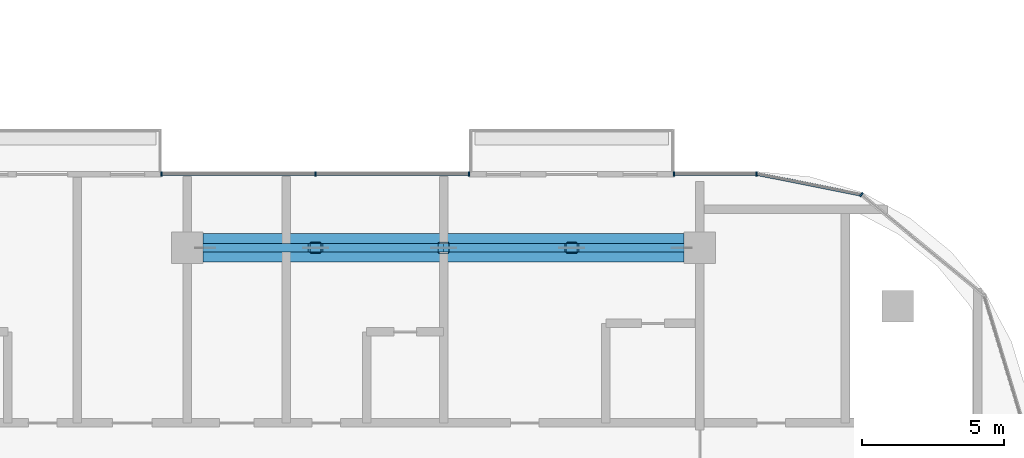
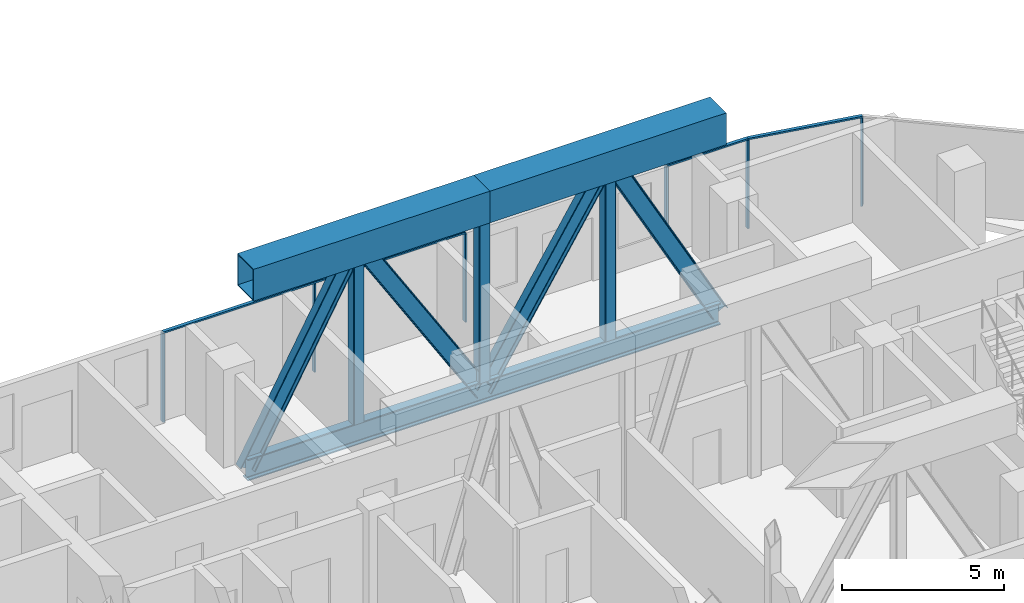
# One storey, part 4 of 25: 19 members, 3 elements without a shape of their own.
"""IFC4 building model written with IfcOpenShell, lengths in metres."""

from ifc_helpers import new_model, si_unit, direction, frame, origin, origin_2d, place, context, subcontext, project, spatial, rectangle, hollow_rectangle, i_section, extrude, material, material_profile, profile_set, type_object, element, aggregate, save


model = new_model("IFC4")

# Units and contexts
model_context = context("Model", 3, precision=1e-05, world=origin(), true_north=direction((0.0, 1.0)))
body_context = subcontext(model_context, "Body", "Model", "MODEL_VIEW")
ifc_project = project(units=[si_unit("LENGTHUNIT", "METRE"), si_unit("AREAUNIT", "SQUARE_METRE"), si_unit("VOLUMEUNIT", "CUBIC_METRE"), si_unit("PLANEANGLEUNIT", "RADIAN"), si_unit("MASSUNIT", "GRAM", prefix="KILO")], contexts=[model_context])

# Site, building, storey
site_placement = place(None, origin())
site = spatial("IfcSite", under=ifc_project, at=site_placement, CompositionType="ELEMENT")
building_placement = place(site_placement, origin())
building = spatial("IfcBuilding", under=site, at=building_placement, Name="Ogive Portal Towers", CompositionType="ELEMENT")
storey_placement = place(building_placement, frame((0.0, 0.0, 182.89990234375)))
storey = spatial("IfcBuildingStorey", under=building, at=storey_placement, Name="L45", CompositionType="ELEMENT", Elevation=182.89990234375)

# Members
ifc_material_1 = material(Name="Steel S355", Category="steel")
ifc_material_profile_1 = material_profile(ifc_material_1, i_section(OverallWidth=0.300048828125, OverallDepth=0.60009765625, WebThickness=0.015380859375, FlangeThickness=0.030029296875, FilletRadius=0.027099609375, at=origin_2d()), Name="HEB 600")
ifc_profile_set_1 = profile_set([ifc_material_profile_1], Name="Steel S355")
member_type_1 = type_object("IfcMemberType", Name="BRACE HEB 600", PredefinedType="BRACE", material=ifc_profile_set_1)
member_1_placement = place(storey_placement, frame((68.050048828125, 39.5, -0.706787109375), z_axis=(0.480630732962, 0.0, 0.87692308587), x_axis=(0.0, 1.0, 0.0)))
element("IfcMember", 1, at=member_1_placement, inside=storey, type_object=member_type_1, Name="Lintel truss diagonal", PredefinedType="BRACE", context=body_context, shape_type="SweptSolid", body=[
    extrude(i_section(OverallWidth=0.300048828125, OverallDepth=0.60009765625, WebThickness=0.015380859375, FlangeThickness=0.030029296875, FilletRadius=0.027099609375, at=origin_2d()), origin(), (0.0, 0.0, 1.0), 8.21826171875),
])
for number, where, z_axis, x_axis, name in (
    (2, (72.0, 39.5, 6.5), (0.52963986891, 0.0, -0.848222617749), (0.0, 1.0, 0.0), "Lintel truss diagonal"),
    (3, (76.5, 39.5, -0.706787109375), (0.52963986891, 0.0, 0.848222617749), (0.0, 1.0, 0.0), "Lintel truss diagonal"),
):
    element("IfcMember", number, at=place(storey_placement, frame(where, z_axis=z_axis, x_axis=x_axis)), inside=storey, type_object=member_type_1, Name=name, PredefinedType="BRACE", context=body_context, shape_type="SweptSolid", body=[
        extrude(i_section(OverallWidth=0.300048828125, OverallDepth=0.60009765625, WebThickness=0.015380859375, FlangeThickness=0.030029296875, FilletRadius=0.027099609375, at=origin_2d()), origin(), (0.0, 0.0, 1.0), 8.496337890625),
    ])
member_2_placement = place(storey_placement, frame((81.0, 39.5, 6.5), z_axis=(0.480630732962, 0.0, -0.87692308587), x_axis=(0.0, 1.0, 0.0)))
element("IfcMember", 4, at=member_2_placement, inside=storey, type_object=member_type_1, Name="Lintel truss diagonal", PredefinedType="BRACE", context=body_context, shape_type="SweptSolid", body=[
    extrude(i_section(OverallWidth=0.300048828125, OverallDepth=0.60009765625, WebThickness=0.015380859375, FlangeThickness=0.030029296875, FilletRadius=0.027099609375, at=origin_2d()), origin(), (0.0, 0.0, 1.0), 8.21826171875),
])
ifc_material_profile_2 = material_profile(ifc_material_1, hollow_rectangle(XDim=1.0, YDim=1.199951171875, WallThickness=0.0400390625, at=origin_2d()), Name="BOX 1200x1000x40")
ifc_profile_set_2 = profile_set([ifc_material_profile_2], Name="Steel S355")
member_type_2 = type_object("IfcMemberType", Name="CHORD BOX 1200x1000x40", PredefinedType="CHORD", material=ifc_profile_set_2)
for number, where, z_axis, x_axis, name in (
    (5, (68.050048828125, 39.5, 6.5), (1.0, 0.0, 0.0), (0.0, 1.0, 0.0), "Lintel truss top chord"),
    (6, (76.5, 39.5, 6.5), (1.0, 0.0, 0.0), (0.0, 1.0, 0.0), "Lintel truss top chord"),
):
    element("IfcMember", number, at=place(storey_placement, frame(where, z_axis=z_axis, x_axis=x_axis)), inside=storey, type_object=member_type_2, Name=name, PredefinedType="CHORD", context=body_context, shape_type="SweptSolid", body=[
        extrude(hollow_rectangle(XDim=1.0, YDim=1.199951171875, WallThickness=0.0400390625, at=origin_2d()), origin(), (0.0, 0.0, 1.0), 8.449951171875),
    ])
ifc_material_profile_3 = material_profile(ifc_material_1, i_section(OverallWidth=0.302978515625, OverallDepth=0.81396484375, WebThickness=0.02099609375, FlangeThickness=0.0400390625, FilletRadius=0.030029296875, at=origin_2d()), Name="HEM 800")
ifc_profile_set_3 = profile_set([ifc_material_profile_3], Name="Steel S355")
member_type_3 = type_object("IfcMemberType", Name="CHORD HEM 800", PredefinedType="CHORD", material=ifc_profile_set_3)
member_3_placement = place(storey_placement, frame((68.050048828125, 39.5, -0.706787109375), z_axis=(1.0, 0.0, 0.0), x_axis=(0.0, 1.0, 0.0)))
element("IfcMember", 7, at=member_3_placement, inside=storey, type_object=member_type_3, Name="Lintel truss bottom chord", PredefinedType="CHORD", context=body_context, shape_type="SweptSolid", body=[
    extrude(i_section(OverallWidth=0.302978515625, OverallDepth=0.81396484375, WebThickness=0.02099609375, FlangeThickness=0.0400390625, FilletRadius=0.030029296875, at=origin_2d()), origin(), (0.0, 0.0, 1.0), 16.89990234375),
])

# Curtain wall, members
ifc_material_2 = material(Name="Glass, clear low-iron insulated glazing", Category="glass")
curtain_wall_type = type_object("IfcCurtainWallType", Name="CW FRONT RIBBON 4500", PredefinedType="NOTDEFINED", material=ifc_material_2)
curtain_wall_1_placement = place(storey_placement, origin())
curtain_wall_1 = element("IfcCurtainWall", 8, at=curtain_wall_1_placement, inside=storey, type_object=curtain_wall_type, Name="A:L45:f16:cw0", PredefinedType="NOTDEFINED")
ifc_material_3 = material(Name="Aluminium 6063 anodised", Category="aluminium")
ifc_material_profile_4 = material_profile(ifc_material_3, rectangle(XDim=0.159912109375, YDim=0.06005859375, at=origin_2d()), Name="AL 60x160")
ifc_profile_set_4 = profile_set([ifc_material_profile_4], Name="Aluminium 6063 anodised")
member_type_4 = type_object("IfcMemberType", Name="CW MULLION 60x160", PredefinedType="MULLION", material=ifc_profile_set_4)
member_4_placement = place(storey_placement, frame((87.4921875, 42.10009765625, 0.0), z_axis=(0.0, 0.0, 1.0), x_axis=(0.0, -1.0, 0.0)))
member_4 = element("IfcMember", 9, at=member_4_placement, type_object=member_type_4, Name="mullion", PredefinedType="MULLION", context=body_context, shape_type="SweptSolid", body=[
    extrude(rectangle(XDim=0.159912109375, YDim=0.06005859375, at=origin_2d()), origin(), (0.0, 0.0, 1.0), 3.340087890625),
])
member_5_placement = place(storey_placement, frame((84.591796875, 42.10009765625, 0.0), z_axis=(0.0, 0.0, 1.0), x_axis=(0.0, -1.0, 0.0)))
member_5 = element("IfcMember", 10, at=member_5_placement, type_object=member_type_4, Name="mullion", PredefinedType="MULLION", context=body_context, shape_type="SweptSolid", body=[
    extrude(rectangle(XDim=0.159912109375, YDim=0.06005859375, at=origin_2d()), origin(), (0.0, 0.0, 1.0), 3.340087890625),
])

curtain_wall_2_placement = place(storey_placement, origin())
curtain_wall_2 = element("IfcCurtainWall", 11, at=curtain_wall_2_placement, inside=storey, type_object=curtain_wall_type, Name="A:L45:f16:cw1", PredefinedType="NOTDEFINED")
member_6_placement = place(storey_placement, frame((77.391357421875, 42.10009765625, 0.0), z_axis=(0.0, 0.0, 1.0), x_axis=(0.0, -1.0, 0.0)))
member_6 = element("IfcMember", 12, at=member_6_placement, type_object=member_type_4, Name="mullion", PredefinedType="MULLION", context=body_context, shape_type="SweptSolid", body=[
    extrude(rectangle(XDim=0.159912109375, YDim=0.06005859375, at=origin_2d()), origin(), (0.0, 0.0, 1.0), 3.340087890625),
])
member_7_placement = place(storey_placement, frame((72.0, 42.10009765625, 0.0), z_axis=(0.0, 0.0, 1.0), x_axis=(0.0, -1.0, 0.0)))
member_7 = element("IfcMember", 13, at=member_7_placement, type_object=member_type_4, Name="mullion", PredefinedType="MULLION", context=body_context, shape_type="SweptSolid", body=[
    extrude(rectangle(XDim=0.159912109375, YDim=0.06005859375, at=origin_2d()), origin(), (0.0, 0.0, 1.0), 3.340087890625),
])
member_8_placement = place(storey_placement, frame((66.59033203125, 42.10009765625, 0.0), z_axis=(0.0, 0.0, 1.0), x_axis=(0.0, -1.0, 0.0)))
member_8 = element("IfcMember", 14, at=member_8_placement, type_object=member_type_4, Name="mullion", PredefinedType="MULLION", context=body_context, shape_type="SweptSolid", body=[
    extrude(rectangle(XDim=0.159912109375, YDim=0.06005859375, at=origin_2d()), origin(), (0.0, 0.0, 1.0), 3.340087890625),
])

# Curtain wall, member
curtain_wall_3_placement = place(storey_placement, origin())
curtain_wall_3 = element("IfcCurtainWall", 15, at=curtain_wall_3_placement, inside=storey, type_object=curtain_wall_type, Name="A:L45:f13:cwa", PredefinedType="NOTDEFINED")
member_9_placement = place(storey_placement, frame((91.169189453125, 41.36865234375, 0.0), z_axis=(0.0, 0.0, 1.0), x_axis=(-0.634393284164, -0.773010453363, 0.0)))
member_9 = element("IfcMember", 16, at=member_9_placement, type_object=member_type_4, Name="mullion", PredefinedType="MULLION", context=body_context, shape_type="SweptSolid", body=[
    extrude(rectangle(XDim=0.159912109375, YDim=0.06005859375, at=origin_2d()), origin(), (0.0, 0.0, 1.0), 3.340087890625),
])

# Member
ifc_material_profile_5 = material_profile(ifc_material_3, rectangle(XDim=0.1201171875, YDim=0.06005859375, at=origin_2d()), Name="AL 120x60")
ifc_profile_set_5 = profile_set([ifc_material_profile_5], Name="Aluminium 6063 anodised")
member_type_5 = type_object("IfcMemberType", Name="CW TRANSOM 60x120", PredefinedType="USERDEFINED", material=ifc_profile_set_5)
member_10_placement = place(storey_placement, frame((87.4921875, 42.10009765625, 3.3701171875), z_axis=(-1.0, 0.0, 0.0), x_axis=(0.0, -1.0, 0.0)))
member_10 = element("IfcMember", 17, at=member_10_placement, type_object=member_type_5, Name="transom", ObjectType="TRANSOM", PredefinedType="USERDEFINED", context=body_context, shape_type="SweptSolid", body=[
    extrude(rectangle(XDim=0.1201171875, YDim=0.06005859375, at=origin_2d()), origin(), (0.0, 0.0, 1.0), 2.900390625),
])

aggregate(curtain_wall_1, [member_10, member_4, member_5])

member_11_placement = place(storey_placement, frame((77.391357421875, 42.10009765625, 3.3701171875), z_axis=(-1.0, 0.0, 0.0), x_axis=(0.0, -1.0, 0.0)))
member_11 = element("IfcMember", 18, at=member_11_placement, type_object=member_type_5, Name="transom", ObjectType="TRANSOM", PredefinedType="USERDEFINED", context=body_context, shape_type="SweptSolid", body=[
    extrude(rectangle(XDim=0.1201171875, YDim=0.06005859375, at=origin_2d()), origin(), (0.0, 0.0, 1.0), 10.801025390625),
])

aggregate(curtain_wall_2, [member_11, member_6, member_7, member_8])

member_12_placement = place(storey_placement, frame((91.169189453125, 41.36865234375, 3.3701171875), z_axis=(-0.980783027079, 0.195101649899, 0.0), x_axis=(-0.195101649899, -0.980783027079, 0.0)))
member_12 = element("IfcMember", 19, at=member_12_placement, type_object=member_type_5, Name="transom", ObjectType="TRANSOM", PredefinedType="USERDEFINED", context=body_context, shape_type="SweptSolid", body=[
    extrude(rectangle(XDim=0.1201171875, YDim=0.06005859375, at=origin_2d()), origin(), (0.0, 0.0, 1.0), 3.7490234375),
])

aggregate(curtain_wall_3, [member_12, member_9])

# Members
ifc_material_profile_6 = material_profile(ifc_material_1, hollow_rectangle(XDim=0.39990234375, YDim=0.39990234375, WallThickness=0.02001953125, InnerFilletRadius=0.030029296875, OuterFilletRadius=0.050048828125, at=origin_2d()), Name="SHS 400x400x20")
ifc_profile_set_6 = profile_set([ifc_material_profile_6], Name="Steel S355")
member_type_6 = type_object("IfcMemberType", Name="POST SHS 400x400x20", PredefinedType="POST", material=ifc_profile_set_6)
for number, where, z_axis, x_axis, name in (
    (20, (72.0, 39.5, -0.2998046875), (0.0, 0.0, 1.0), (1.0, 0.0, 0.0), "Lintel truss post"),
    (21, (76.5, 39.5, -0.2998046875), (0.0, 0.0, 1.0), (1.0, 0.0, 0.0), "Lintel truss post"),
    (22, (81.0, 39.5, -0.2998046875), (0.0, 0.0, 1.0), (1.0, 0.0, 0.0), "Lintel truss post"),
):
    element("IfcMember", number, at=place(storey_placement, frame(where, z_axis=z_axis, x_axis=x_axis)), inside=storey, type_object=member_type_6, Name=name, PredefinedType="POST", context=body_context, shape_type="SweptSolid", body=[
        extrude(hollow_rectangle(XDim=0.39990234375, YDim=0.39990234375, WallThickness=0.02001953125, InnerFilletRadius=0.030029296875, OuterFilletRadius=0.050048828125, at=origin_2d()), origin(), (0.0, 0.0, 1.0), 6.199951171875),
    ])

save(model, "model.ifc")
